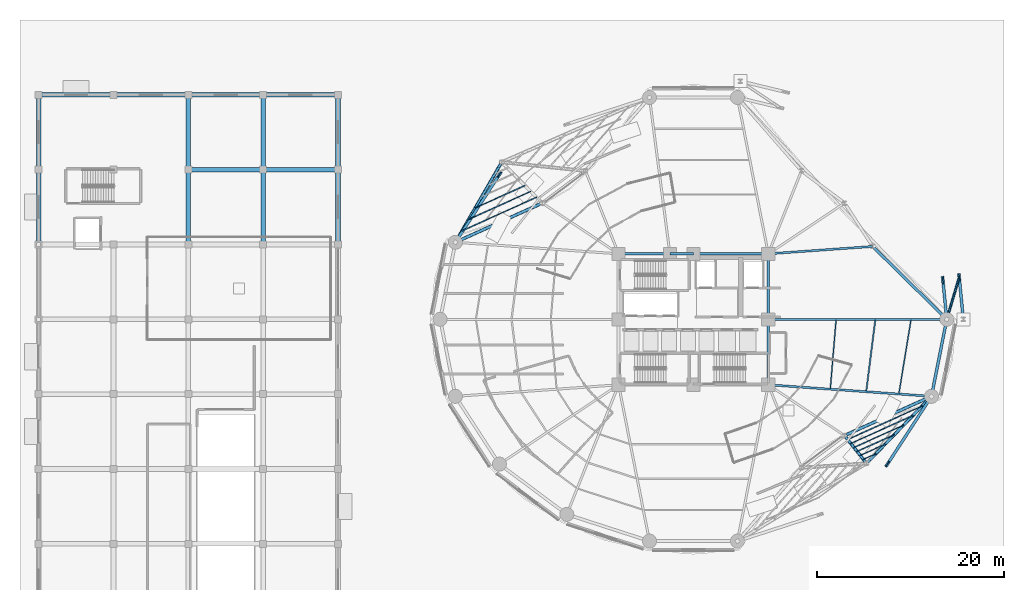
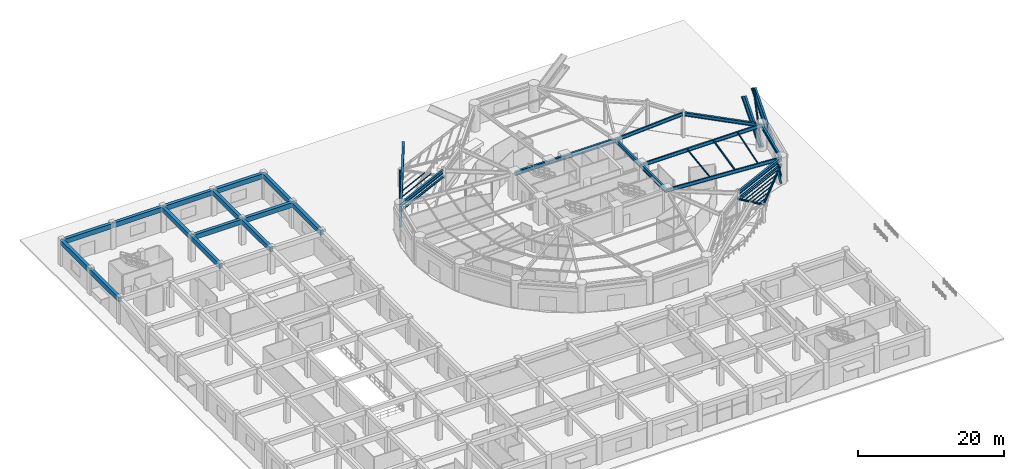
# One storey, part 21 of 40: 33 beams, 15 members.
"""IFC4 building model written with IfcOpenShell, lengths in metres."""

from ifc_helpers import new_model, si_unit, direction, frame, origin, origin_2d, place, context, subcontext, project, spatial, rectangle, hollow_rectangle, hollow_circle, i_section, extrude, material, material_profile, profile_set, type_object, element, save


model = new_model("IFC4")

# Units and contexts
model_context = context("Model", 3, precision=1e-05, world=origin(), true_north=direction((0.0, 1.0)))
body_context = subcontext(model_context, "Body", "Model", "MODEL_VIEW")
ifc_project = project(units=[si_unit("LENGTHUNIT", "METRE"), si_unit("AREAUNIT", "SQUARE_METRE"), si_unit("VOLUMEUNIT", "CUBIC_METRE"), si_unit("PLANEANGLEUNIT", "RADIAN"), si_unit("MASSUNIT", "GRAM", prefix="KILO")], contexts=[model_context])

# Site, building, storey
site_placement = place(None, origin())
site = spatial("IfcSite", under=ifc_project, at=site_placement, CompositionType="ELEMENT")
building_placement = place(site_placement, origin())
building = spatial("IfcBuilding", under=site, at=building_placement, Name="Kelanora Arch Commons", CompositionType="ELEMENT")
storey_placement = place(building_placement, origin())
storey = spatial("IfcBuildingStorey", under=building, at=storey_placement, Name="L00", CompositionType="ELEMENT", Elevation=0.0)

# Beams
ifc_material_1 = material(Name="Steel S355", Category="steel")
ifc_material_profile_1 = material_profile(ifc_material_1, i_section(OverallWidth=0.302001953125, OverallDepth=1.008056640625, WebThickness=0.02099609375, FlangeThickness=0.0400390625, FilletRadius=0.030029296875, at=origin_2d()), Name="HEM1000")
ifc_profile_set_1 = profile_set([ifc_material_profile_1], Name="Steel S355")
beam_type_1 = type_object("IfcBeamType", Name="BM-ARCH-RIB", PredefinedType="USERDEFINED", material=ifc_profile_set_1)
beam_1_placement = place(storey_placement, frame((101.080078125, 58.0, 0.199951171875), z_axis=(-0.054850122001, 0.557518124339, 0.828350774219), x_axis=(-0.995195276292, -0.097909969087, 0.0)))
element("IfcBeam", 1, at=beam_1_placement, inside=storey, type_object=beam_type_1, Name="Parabolic Giant Arch Inner Rib 01", ObjectType="ARCH_RIB", PredefinedType="USERDEFINED", context=body_context, shape_type="SweptSolid", body=[
    extrude(i_section(OverallWidth=0.302001953125, OverallDepth=1.008056640625, WebThickness=0.02099609375, FlangeThickness=0.0400390625, FilletRadius=0.030029296875, at=origin_2d()), origin(), (0.0, 0.0, 1.0), 7.5),
])
beam_2_placement = place(storey_placement, frame((102.85009765625, 58.0, 0.199951171875), z_axis=(-0.053599938384, 0.548712954975, 0.834290800409), x_axis=(-0.995262888047, -0.097220284289, 0.0)))
element("IfcBeam", 2, at=beam_2_placement, inside=storey, type_object=beam_type_1, Name="Parabolic Giant Arch Outer Rib 01", ObjectType="ARCH_RIB", PredefinedType="USERDEFINED", context=body_context, shape_type="SweptSolid", body=[
    extrude(i_section(OverallWidth=0.302001953125, OverallDepth=1.008056640625, WebThickness=0.02099609375, FlangeThickness=0.0400390625, FilletRadius=0.030029296875, at=origin_2d()), origin(), (0.0, 0.0, 1.0), 8.1806640625),
])
for number, where, z_axis, x_axis, name in (
    (3, (53.255615234375, 73.478271484375, 8.39990234375), (-0.396049582945, -0.609947610739, -0.686373542616), (0.838705127722, -0.544585813928, 0.0), "Courtyard Portal Arch Rib NW-3"),
    (4, (94.744384765625, 42.521728515625, 8.39990234375), (0.396049582945, 0.609947610739, -0.686373542616), (-0.838705127722, 0.544585813928, 0.0), "Courtyard Portal Arch Rib SE-3"),
):
    element("IfcBeam", number, at=place(storey_placement, frame(where, z_axis=z_axis, x_axis=x_axis)), inside=storey, type_object=beam_type_1, Name=name, ObjectType="ARCH_RIB", PredefinedType="USERDEFINED", context=body_context, shape_type="SweptSolid", body=[
        extrude(i_section(OverallWidth=0.302001953125, OverallDepth=1.008056640625, WebThickness=0.02099609375, FlangeThickness=0.0400390625, FilletRadius=0.030029296875, at=origin_2d()), origin(), (0.0, 0.0, 1.0), 11.873779296875),
    ])
ifc_material_profile_2 = material_profile(ifc_material_1, i_section(OverallWidth=0.300048828125, OverallDepth=0.699951171875, WebThickness=0.01708984375, FlangeThickness=0.031982421875, FilletRadius=0.027099609375, at=origin_2d()), Name="HEB700")
ifc_profile_set_2 = profile_set([ifc_material_profile_2], Name="Steel S355")
beam_type_2 = type_object("IfcBeamType", Name="BM-CORE-HDR", PredefinedType="BEAM", material=ifc_profile_set_2)
for number, where, z_axis, x_axis, name in (
    (5, (82.0, 51.0, 3.85009765625), (0.0, 1.0, 0.0), (-1.0, 0.0, 0.0), "Core Header Beam 03 L00"),
    (6, (82.0, 58.0, 3.85009765625), (0.0, 1.0, 0.0), (-1.0, 0.0, 0.0), "Core Header Beam 04 L00"),
):
    element("IfcBeam", number, at=place(storey_placement, frame(where, z_axis=z_axis, x_axis=x_axis)), inside=storey, type_object=beam_type_2, Name=name, PredefinedType="BEAM", context=body_context, shape_type="SweptSolid", body=[
        extrude(i_section(OverallWidth=0.300048828125, OverallDepth=0.699951171875, WebThickness=0.01708984375, FlangeThickness=0.031982421875, FilletRadius=0.027099609375, at=origin_2d()), origin(), (0.0, 0.0, 1.0), 7.0),
    ])
beam_3_placement = place(storey_placement, frame((82.0, 65.0, 3.85009765625), z_axis=(-1.0, 0.0, 0.0), x_axis=(0.0, -1.0, 0.0)))
element("IfcBeam", 7, at=beam_3_placement, inside=storey, type_object=beam_type_2, Name="Core Header Beam 05 L00", PredefinedType="BEAM", context=body_context, shape_type="SweptSolid", body=[
    extrude(i_section(OverallWidth=0.300048828125, OverallDepth=0.699951171875, WebThickness=0.01708984375, FlangeThickness=0.031982421875, FilletRadius=0.027099609375, at=origin_2d()), origin(), (0.0, 0.0, 1.0), 8.0),
])
beam_4_placement = place(storey_placement, frame((74.0, 65.0, 3.85009765625), z_axis=(-1.0, 0.0, 0.0), x_axis=(0.0, -1.0, 0.0)))
element("IfcBeam", 8, at=beam_4_placement, inside=storey, type_object=beam_type_2, Name="Core Header Beam 06 L00", PredefinedType="BEAM", context=body_context, shape_type="SweptSolid", body=[
    extrude(i_section(OverallWidth=0.300048828125, OverallDepth=0.699951171875, WebThickness=0.01708984375, FlangeThickness=0.031982421875, FilletRadius=0.027099609375, at=origin_2d()), origin(), (0.0, 0.0, 1.0), 2.52001953125),
])
beam_5_placement = place(storey_placement, frame((71.47998046875, 65.0, 3.85009765625), z_axis=(-1.0, 0.0, 0.0), x_axis=(0.0, -1.0, 0.0)))
element("IfcBeam", 9, at=beam_5_placement, inside=storey, type_object=beam_type_2, Name="Core Header Beam 07 L00", PredefinedType="BEAM", context=body_context, shape_type="SweptSolid", body=[
    extrude(i_section(OverallWidth=0.300048828125, OverallDepth=0.699951171875, WebThickness=0.01708984375, FlangeThickness=0.031982421875, FilletRadius=0.027099609375, at=origin_2d()), origin(), (0.0, 0.0, 1.0), 5.47998046875),
])
ifc_material_profile_3 = material_profile(ifc_material_1, i_section(OverallWidth=0.14990234375, OverallDepth=0.300048828125, WebThickness=0.007080078125, FlangeThickness=0.0107421875, FilletRadius=0.014892578125, at=origin_2d()), Name="IPE300")
ifc_profile_set_3 = profile_set([ifc_material_profile_3], Name="Steel S355")
beam_type_3 = type_object("IfcBeamType", Name="BM-JST-01", PredefinedType="JOIST", material=ifc_profile_set_3)
beam_6_placement = place(storey_placement, frame((92.478759765625, 50.3427734375, 4.050048828125), z_axis=(0.125565841651, 0.992085288375, 0.0), x_axis=(-0.992085288375, 0.125565841651, 0.0)))
element("IfcBeam", 10, at=beam_6_placement, inside=storey, type_object=beam_type_3, Name="Secondary Chord Joist BJB-34 L00", PredefinedType="JOIST", context=body_context, shape_type="SweptSolid", body=[
    extrude(i_section(OverallWidth=0.14990234375, OverallDepth=0.300048828125, WebThickness=0.007080078125, FlangeThickness=0.0107421875, FilletRadius=0.014892578125, at=origin_2d()), origin(), (0.0, 0.0, 1.0), 7.63330078125),
])
ifc_material_profile_4 = material_profile(ifc_material_1, i_section(OverallWidth=0.1201171875, OverallDepth=0.239990234375, WebThickness=0.006103515625, FlangeThickness=0.009765625, FilletRadius=0.014892578125, at=origin_2d()), Name="IPE240")
ifc_profile_set_4 = profile_set([ifc_material_profile_4], Name="Steel S355")
beam_type_4 = type_object("IfcBeamType", Name="BM-JST-02", PredefinedType="JOIST", material=ifc_profile_set_4)
beam_7_placement = place(storey_placement, frame((88.636962890625, 50.614990234375, 4.080078125), z_axis=(0.082786209886, 0.996567330115, 0.0), x_axis=(-0.996567330115, 0.082786209886, 0.0)))
element("IfcBeam", 11, at=beam_7_placement, inside=storey, type_object=beam_type_4, Name="Secondary Chord Joist BJA-34 L00", PredefinedType="JOIST", context=body_context, shape_type="SweptSolid", body=[
    extrude(i_section(OverallWidth=0.1201171875, OverallDepth=0.239990234375, WebThickness=0.006103515625, FlangeThickness=0.009765625, FilletRadius=0.014892578125, at=origin_2d()), origin(), (0.0, 0.0, 1.0), 7.325439453125),
])
beam_8_placement = place(storey_placement, frame((95.97119140625, 50.09521484375, 4.080078125), z_axis=(0.161400737199, 0.986888951216, 0.0), x_axis=(-0.986888951216, 0.161400737199, 0.0)))
element("IfcBeam", 12, at=beam_8_placement, inside=storey, type_object=beam_type_4, Name="Secondary Chord Joist BJC-34 L00", PredefinedType="JOIST", context=body_context, shape_type="SweptSolid", body=[
    extrude(i_section(OverallWidth=0.1201171875, OverallDepth=0.239990234375, WebThickness=0.006103515625, FlangeThickness=0.009765625, FilletRadius=0.014892578125, at=origin_2d()), origin(), (0.0, 0.0, 1.0), 7.9248046875),
])
ifc_material_2 = material(Name="Concrete C40/50", Category="concrete")
ifc_material_profile_5 = material_profile(ifc_material_2, rectangle(XDim=0.5, YDim=0.800048828125, at=origin_2d()), Name="RCB500x800")
ifc_profile_set_5 = profile_set([ifc_material_profile_5], Name="Concrete C40/50")
beam_type_5 = type_object("IfcBeamType", Name="BM-MKT-RC1", PredefinedType="BEAM", material=ifc_profile_set_5)
for number, where, z_axis, x_axis, name in (
    (13, (4.0, 66.0, 3.840087890625), (0.0, 1.0, 0.0), (-1.0, 0.0, 0.0), "Market/Basement Frame Beam 018 L00"),
    (14, (4.0, 74.0, 3.840087890625), (0.0, 1.0, 0.0), (-1.0, 0.0, 0.0), "Market/Basement Frame Beam 019 L00"),
    (15, (4.0, 82.0, 3.840087890625), (1.0, 0.0, 0.0), (0.0, 1.0, 0.0), "Market/Basement Frame Beam 020 L00"),
    (16, (12.0, 82.0, 3.840087890625), (1.0, 0.0, 0.0), (0.0, 1.0, 0.0), "Market/Basement Frame Beam 037 L00"),
    (17, (20.0, 66.0, 3.840087890625), (0.0, 1.0, 0.0), (-1.0, 0.0, 0.0), "Market/Basement Frame Beam 055 L00"),
    (18, (20.0, 74.0, 3.840087890625), (1.0, 0.0, 0.0), (0.0, 1.0, 0.0), "Market/Basement Frame Beam 056 L00"),
    (19, (20.0, 74.0, 3.840087890625), (0.0, 1.0, 0.0), (-1.0, 0.0, 0.0), "Market/Basement Frame Beam 057 L00"),
    (20, (20.0, 82.0, 3.840087890625), (1.0, 0.0, 0.0), (0.0, 1.0, 0.0), "Market/Basement Frame Beam 058 L00"),
    (21, (28.0, 66.0, 3.840087890625), (0.0, 1.0, 0.0), (-1.0, 0.0, 0.0), "Market/Basement Frame Beam 076 L00"),
    (22, (28.0, 74.0, 3.840087890625), (1.0, 0.0, 0.0), (0.0, 1.0, 0.0), "Market/Basement Frame Beam 077 L00"),
    (23, (28.0, 74.0, 3.840087890625), (0.0, 1.0, 0.0), (-1.0, 0.0, 0.0), "Market/Basement Frame Beam 078 L00"),
    (24, (28.0, 82.0, 3.840087890625), (1.0, 0.0, 0.0), (0.0, 1.0, 0.0), "Market/Basement Frame Beam 079 L00"),
    (25, (36.0, 66.0, 3.840087890625), (0.0, 1.0, 0.0), (-1.0, 0.0, 0.0), "Market/Basement Frame Beam 092 L00"),
    (26, (36.0, 74.0, 3.840087890625), (0.0, 1.0, 0.0), (-1.0, 0.0, 0.0), "Market/Basement Frame Beam 093 L00"),
):
    element("IfcBeam", number, at=place(storey_placement, frame(where, z_axis=z_axis, x_axis=x_axis)), inside=storey, type_object=beam_type_5, Name=name, PredefinedType="BEAM", context=body_context, shape_type="SweptSolid", body=[
        extrude(rectangle(XDim=0.5, YDim=0.800048828125, at=origin_2d()), origin(), (0.0, 0.0, 1.0), 8.0),
    ])
ifc_material_profile_6 = material_profile(ifc_material_1, i_section(OverallWidth=0.219970703125, OverallDepth=0.60009765625, WebThickness=0.011962890625, FlangeThickness=0.01904296875, FilletRadius=0.02392578125, at=origin_2d()), Name="IPE600")
ifc_profile_set_6 = profile_set([ifc_material_profile_6], Name="Steel S355")
beam_type_6 = type_object("IfcBeamType", Name="BM-RAD-Z1", PredefinedType="BEAM", material=ifc_profile_set_6)
beam_9_placement = place(storey_placement, frame((82.0, 58.0, 3.89990234375), z_axis=(1.0, 0.0, 0.0), x_axis=(0.0, 1.0, 0.0)))
element("IfcBeam", 27, at=beam_9_placement, inside=storey, type_object=beam_type_6, Name="Radial Floor Girder BR-00 L00", PredefinedType="BEAM", context=body_context, shape_type="SweptSolid", body=[
    extrude(i_section(OverallWidth=0.219970703125, OverallDepth=0.60009765625, WebThickness=0.011962890625, FlangeThickness=0.01904296875, FilletRadius=0.02392578125, at=origin_2d()), origin(), (0.0, 0.0, 1.0), 19.080078125),
])
beam_10_placement = place(storey_placement, frame((82.0, 65.0, 3.89990234375), z_axis=(0.997500156706, 0.070664258084, 0.0), x_axis=(-0.070664258084, 0.997500156706, 0.0)))
element("IfcBeam", 28, at=beam_10_placement, inside=storey, type_object=beam_type_6, Name="Radial Floor Girder BR-02 L00", PredefinedType="BEAM", context=body_context, shape_type="SweptSolid", body=[
    extrude(i_section(OverallWidth=0.219970703125, OverallDepth=0.60009765625, WebThickness=0.011962890625, FlangeThickness=0.01904296875, FilletRadius=0.02392578125, at=origin_2d()), origin(), (0.0, 0.0, 1.0), 11.194091796875),
])
beam_11_placement = place(storey_placement, frame((82.0, 51.0, 3.89990234375), z_axis=(0.997500683472, -0.070656821848, 0.0), x_axis=(0.070656821848, 0.997500683472, 0.0)))
element("IfcBeam", 29, at=beam_11_placement, inside=storey, type_object=beam_type_6, Name="Radial Floor Girder BR-34 L00", PredefinedType="BEAM", context=body_context, shape_type="SweptSolid", body=[
    extrude(i_section(OverallWidth=0.219970703125, OverallDepth=0.60009765625, WebThickness=0.011962890625, FlangeThickness=0.01904296875, FilletRadius=0.02392578125, at=origin_2d()), origin(), (0.0, 0.0, 1.0), 17.49072265625),
])
ifc_material_profile_7 = material_profile(ifc_material_1, i_section(OverallWidth=0.300048828125, OverallDepth=0.60009765625, WebThickness=0.015380859375, FlangeThickness=0.030029296875, FilletRadius=0.027099609375, at=origin_2d()), Name="HEB600")
ifc_profile_set_7 = profile_set([ifc_material_profile_7], Name="Steel S355")
beam_type_7 = type_object("IfcBeamType", Name="BM-SPN-Z1", PredefinedType="SPANDREL", material=ifc_profile_set_7)
beam_12_placement = place(storey_placement, frame((101.080078125, 58.0, 3.89990234375), z_axis=(-0.712624777601, 0.701545384383, 0.0), x_axis=(-0.701545384383, -0.712624777601, 0.0)))
element("IfcBeam", 30, at=beam_12_placement, inside=storey, type_object=beam_type_7, Name="Perimeter Spandrel Beam BS-00 L00", PredefinedType="SPANDREL", context=body_context, shape_type="SweptSolid", body=[
    extrude(i_section(OverallWidth=0.300048828125, OverallDepth=0.60009765625, WebThickness=0.015380859375, FlangeThickness=0.030029296875, FilletRadius=0.027099609375, at=origin_2d()), origin(), (0.0, 0.0, 1.0), 10.885498046875),
])
for number, where, z_axis, x_axis, name in (
    (31, (57.64306640625, 70.335693359375, 3.89990234375), (-0.911571644147, -0.411141262326, 0.0), (0.411141262326, -0.911571644147, 0.0), "Perimeter Spandrel Beam BS-14 L00"),
    (32, (90.35693359375, 45.664306640625, 3.89990234375), (0.911571644147, 0.411141262326, 0.0), (-0.411141262326, 0.911571644147, 0.0), "Perimeter Spandrel Beam BS-32 L00"),
):
    element("IfcBeam", number, at=place(storey_placement, frame(where, z_axis=z_axis, x_axis=x_axis)), inside=storey, type_object=beam_type_7, Name=name, PredefinedType="SPANDREL", context=body_context, shape_type="SweptSolid", body=[
        extrude(i_section(OverallWidth=0.300048828125, OverallDepth=0.60009765625, WebThickness=0.015380859375, FlangeThickness=0.030029296875, FilletRadius=0.027099609375, at=origin_2d()), origin(), (0.0, 0.0, 1.0), 9.971923828125),
    ])
beam_13_placement = place(storey_placement, frame((99.447021484375, 49.76416015625, 3.89990234375), z_axis=(0.194499827256, 0.980902552345, 0.0), x_axis=(-0.980902552345, 0.194499827256, 0.0)))
element("IfcBeam", 33, at=beam_13_placement, inside=storey, type_object=beam_type_7, Name="Perimeter Spandrel Beam BS-34 L00", PredefinedType="SPANDREL", context=body_context, shape_type="SweptSolid", body=[
    extrude(i_section(OverallWidth=0.300048828125, OverallDepth=0.60009765625, WebThickness=0.015380859375, FlangeThickness=0.030029296875, FilletRadius=0.027099609375, at=origin_2d()), origin(), (0.0, 0.0, 1.0), 8.396240234375),
])

# Members
ifc_material_profile_8 = material_profile(ifc_material_1, hollow_circle(Radius=0.136474609375, WallThickness=0.012451171875, at=origin_2d()), Name="CHS273x12.5")
ifc_profile_set_8 = profile_set([ifc_material_profile_8], Name="Steel S355")
member_type_1 = type_object("IfcMemberType", Name="MEM-MKT-BRACE", PredefinedType="BRACE", material=ifc_profile_set_8)
member_1_placement = place(storey_placement, frame((101.080078125, 58.0, 0.199951171875), z_axis=(0.160880536466, 0.542344984135, 0.824608616963), x_axis=(-0.958708638938, 0.28439012927, 0.0)))
element("IfcMember", 34, at=member_1_placement, inside=storey, type_object=member_type_1, Name="Giant Arch Spatial Diagonal Lacing 01", PredefinedType="BRACE", context=body_context, shape_type="SweptSolid", body=[
    extrude(hollow_circle(Radius=0.136474609375, WallThickness=0.012451171875, at=origin_2d()), origin(), (0.0, 0.0, 1.0), 8.276611328125),
])
ifc_material_profile_9 = material_profile(ifc_material_1, hollow_circle(Radius=0.161865234375, WallThickness=0.01611328125, at=origin_2d()), Name="CHS323.9x16")
ifc_profile_set_9 = profile_set([ifc_material_profile_9], Name="Steel S355")
member_type_2 = type_object("IfcMemberType", Name="MEM-MKT-CHORD", PredefinedType="CHORD", material=ifc_profile_set_9)
member_2_placement = place(storey_placement, frame((53.5, 74.800048828125, 2.93994140625), z_axis=(-0.500187529109, -0.865917106728, 0.0), x_axis=(0.865917106728, -0.500187529109, 0.0)))
element("IfcMember", 35, at=member_2_placement, inside=storey, type_object=member_type_2, Name="Planted Courtyard Pergola Chord NW-C2", PredefinedType="CHORD", context=body_context, shape_type="SweptSolid", body=[
    extrude(hollow_circle(Radius=0.161865234375, WallThickness=0.01611328125, at=origin_2d()), origin(), (0.0, 0.0, 1.0), 9.890380859375),
])
member_3_placement = place(storey_placement, frame((57.843505859375, 70.426025390625, 2.93994140625), z_axis=(-0.911574258667, -0.411135465431, 0.0), x_axis=(0.411135465431, -0.911574258667, 0.0)))
element("IfcMember", 36, at=member_3_placement, inside=storey, type_object=member_type_2, Name="Planted Courtyard Pergola Chord NW-X2", PredefinedType="CHORD", context=body_context, shape_type="SweptSolid", body=[
    extrude(hollow_circle(Radius=0.161865234375, WallThickness=0.01611328125, at=origin_2d()), origin(), (0.0, 0.0, 1.0), 10.191650390625),
])
member_4_placement = place(storey_placement, frame((92.5, 42.60009765625, 2.93994140625), z_axis=(0.69614851065, 0.717897799913, 0.0), x_axis=(-0.717897799913, 0.69614851065, 0.0)))
element("IfcMember", 37, at=member_4_placement, inside=storey, type_object=member_type_2, Name="Planted Courtyard Pergola Chord SE-C2", PredefinedType="CHORD", context=body_context, shape_type="SweptSolid", body=[
    extrude(hollow_circle(Radius=0.161865234375, WallThickness=0.01611328125, at=origin_2d()), origin(), (0.0, 0.0, 1.0), 9.979248046875),
])
member_5_placement = place(storey_placement, frame((90.156494140625, 45.573974609375, 2.93994140625), z_axis=(0.618945764237, -0.785433727906, 0.0), x_axis=(0.785433727906, 0.618945764237, 0.0)))
element("IfcMember", 38, at=member_5_placement, inside=storey, type_object=member_type_2, Name="Planted Courtyard Pergola Chord SE-R2", PredefinedType="CHORD", context=body_context, shape_type="SweptSolid", body=[
    extrude(hollow_circle(Radius=0.161865234375, WallThickness=0.01611328125, at=origin_2d()), origin(), (0.0, 0.0, 1.0), 3.786376953125),
])
member_6_placement = place(storey_placement, frame((90.156494140625, 45.573974609375, 2.93994140625), z_axis=(0.911574258667, 0.411135465431, 0.0), x_axis=(-0.411135465431, 0.911574258667, 0.0)))
element("IfcMember", 39, at=member_6_placement, inside=storey, type_object=member_type_2, Name="Planted Courtyard Pergola Chord SE-X2", PredefinedType="CHORD", context=body_context, shape_type="SweptSolid", body=[
    extrude(hollow_circle(Radius=0.161865234375, WallThickness=0.01611328125, at=origin_2d()), origin(), (0.0, 0.0, 1.0), 10.191650390625),
])
ifc_material_profile_10 = material_profile(ifc_material_1, hollow_rectangle(XDim=0.070068359375, YDim=0.179931640625, WallThickness=0.0048828125, InnerFilletRadius=0.0048828125, OuterFilletRadius=0.010009765625, at=origin_2d()), Name="RHS180x70x5")
ifc_profile_set_10 = profile_set([ifc_material_profile_10], Name="Steel S355")
member_type_3 = type_object("IfcMemberType", Name="MEM-MKT-PURLIN", PredefinedType="PURLIN", material=ifc_profile_set_10)
member_7_placement = place(storey_placement, frame((49.259765625, 67.459228515625, 3.080078125), z_axis=(0.911572380642, 0.411139629384, 0.0), x_axis=(-0.411139629384, 0.911572380642, 0.0)))
element("IfcMember", 40, at=member_7_placement, inside=storey, type_object=member_type_3, Name="Courtyard Garden Trellis Blade NW-B1", PredefinedType="PURLIN", context=body_context, shape_type="SweptSolid", body=[
    extrude(hollow_rectangle(XDim=0.070068359375, YDim=0.179931640625, WallThickness=0.0048828125, InnerFilletRadius=0.0048828125, OuterFilletRadius=0.010009765625, at=origin_2d()), origin(), (0.0, 0.0, 1.0), 8.735595703125),
])
member_8_placement = place(storey_placement, frame((49.966552734375, 68.6826171875, 3.080078125), z_axis=(0.911562851027, 0.411160757646, 0.0), x_axis=(-0.411160757646, 0.911562851027, 0.0)))
element("IfcMember", 41, at=member_8_placement, inside=storey, type_object=member_type_3, Name="Courtyard Garden Trellis Blade NW-B2", PredefinedType="PURLIN", context=body_context, shape_type="SweptSolid", body=[
    extrude(hollow_rectangle(XDim=0.070068359375, YDim=0.179931640625, WallThickness=0.0048828125, InnerFilletRadius=0.0048828125, OuterFilletRadius=0.010009765625, at=origin_2d()), origin(), (0.0, 0.0, 1.0), 7.27978515625),
])
member_9_placement = place(storey_placement, frame((50.673095703125, 69.90625, 3.080078125), z_axis=(0.911579979702, 0.411122780452, 0.0), x_axis=(-0.411122780452, 0.911579979702, 0.0)))
element("IfcMember", 42, at=member_9_placement, inside=storey, type_object=member_type_3, Name="Courtyard Garden Trellis Blade NW-B3", PredefinedType="PURLIN", context=body_context, shape_type="SweptSolid", body=[
    extrude(hollow_rectangle(XDim=0.070068359375, YDim=0.179931640625, WallThickness=0.0048828125, InnerFilletRadius=0.0048828125, OuterFilletRadius=0.010009765625, at=origin_2d()), origin(), (0.0, 0.0, 1.0), 5.82373046875),
])
member_10_placement = place(storey_placement, frame((98.45458984375, 48.74072265625, 3.080078125), z_axis=(-0.911577104635, -0.41112915526, 0.0), x_axis=(0.41112915526, -0.911577104635, 0.0)))
element("IfcMember", 43, at=member_10_placement, inside=storey, type_object=member_type_3, Name="Courtyard Garden Trellis Blade SE-B1", PredefinedType="PURLIN", context=body_context, shape_type="SweptSolid", body=[
    extrude(hollow_rectangle(XDim=0.070068359375, YDim=0.179931640625, WallThickness=0.0048828125, InnerFilletRadius=0.0048828125, OuterFilletRadius=0.010009765625, at=origin_2d()), origin(), (0.0, 0.0, 1.0), 8.73583984375),
])
member_11_placement = place(storey_placement, frame((97.462158203125, 47.71728515625, 3.080078125), z_axis=(-0.911562851027, -0.411160757646, 0.0), x_axis=(0.411160757646, -0.911562851027, 0.0)))
element("IfcMember", 44, at=member_11_placement, inside=storey, type_object=member_type_3, Name="Courtyard Garden Trellis Blade SE-B2", PredefinedType="PURLIN", context=body_context, shape_type="SweptSolid", body=[
    extrude(hollow_rectangle(XDim=0.070068359375, YDim=0.179931640625, WallThickness=0.0048828125, InnerFilletRadius=0.0048828125, OuterFilletRadius=0.010009765625, at=origin_2d()), origin(), (0.0, 0.0, 1.0), 7.27978515625),
])
member_12_placement = place(storey_placement, frame((96.4697265625, 46.69384765625, 3.080078125), z_axis=(-0.911564268384, -0.411157615282, 0.0), x_axis=(0.411157615282, -0.911564268384, 0.0)))
element("IfcMember", 45, at=member_12_placement, inside=storey, type_object=member_type_3, Name="Courtyard Garden Trellis Blade SE-B3", PredefinedType="PURLIN", context=body_context, shape_type="SweptSolid", body=[
    extrude(hollow_rectangle(XDim=0.070068359375, YDim=0.179931640625, WallThickness=0.0048828125, InnerFilletRadius=0.0048828125, OuterFilletRadius=0.010009765625, at=origin_2d()), origin(), (0.0, 0.0, 1.0), 5.823974609375),
])
member_13_placement = place(storey_placement, frame((95.477294921875, 45.67041015625, 3.080078125), z_axis=(-0.911566630575, -0.411152378105, 0.0), x_axis=(0.411152378105, -0.911566630575, 0.0)))
element("IfcMember", 46, at=member_13_placement, inside=storey, type_object=member_type_3, Name="Courtyard Garden Trellis Blade SE-B4", PredefinedType="PURLIN", context=body_context, shape_type="SweptSolid", body=[
    extrude(hollow_rectangle(XDim=0.070068359375, YDim=0.179931640625, WallThickness=0.0048828125, InnerFilletRadius=0.0048828125, OuterFilletRadius=0.010009765625, at=origin_2d()), origin(), (0.0, 0.0, 1.0), 4.367919921875),
])
member_14_placement = place(storey_placement, frame((94.48486328125, 44.64697265625, 3.080078125), z_axis=(-0.911571354687, -0.41114190411, 0.0), x_axis=(0.41114190411, -0.911571354687, 0.0)))
element("IfcMember", 47, at=member_14_placement, inside=storey, type_object=member_type_3, Name="Courtyard Garden Trellis Blade SE-B5", PredefinedType="PURLIN", context=body_context, shape_type="SweptSolid", body=[
    extrude(hollow_rectangle(XDim=0.070068359375, YDim=0.179931640625, WallThickness=0.0048828125, InnerFilletRadius=0.0048828125, OuterFilletRadius=0.010009765625, at=origin_2d()), origin(), (0.0, 0.0, 1.0), 2.912109375),
])
member_15_placement = place(storey_placement, frame((93.492431640625, 43.62353515625, 3.080078125), z_axis=(-0.91155718127, -0.411173327534, 0.0), x_axis=(0.411173327534, -0.91155718127, 0.0)))
element("IfcMember", 48, at=member_15_placement, inside=storey, type_object=member_type_3, Name="Courtyard Garden Trellis Blade SE-B6", PredefinedType="PURLIN", context=body_context, shape_type="SweptSolid", body=[
    extrude(hollow_rectangle(XDim=0.070068359375, YDim=0.179931640625, WallThickness=0.0048828125, InnerFilletRadius=0.0048828125, OuterFilletRadius=0.010009765625, at=origin_2d()), origin(), (0.0, 0.0, 1.0), 1.455810546875),
])

save(model, "model.ifc")
